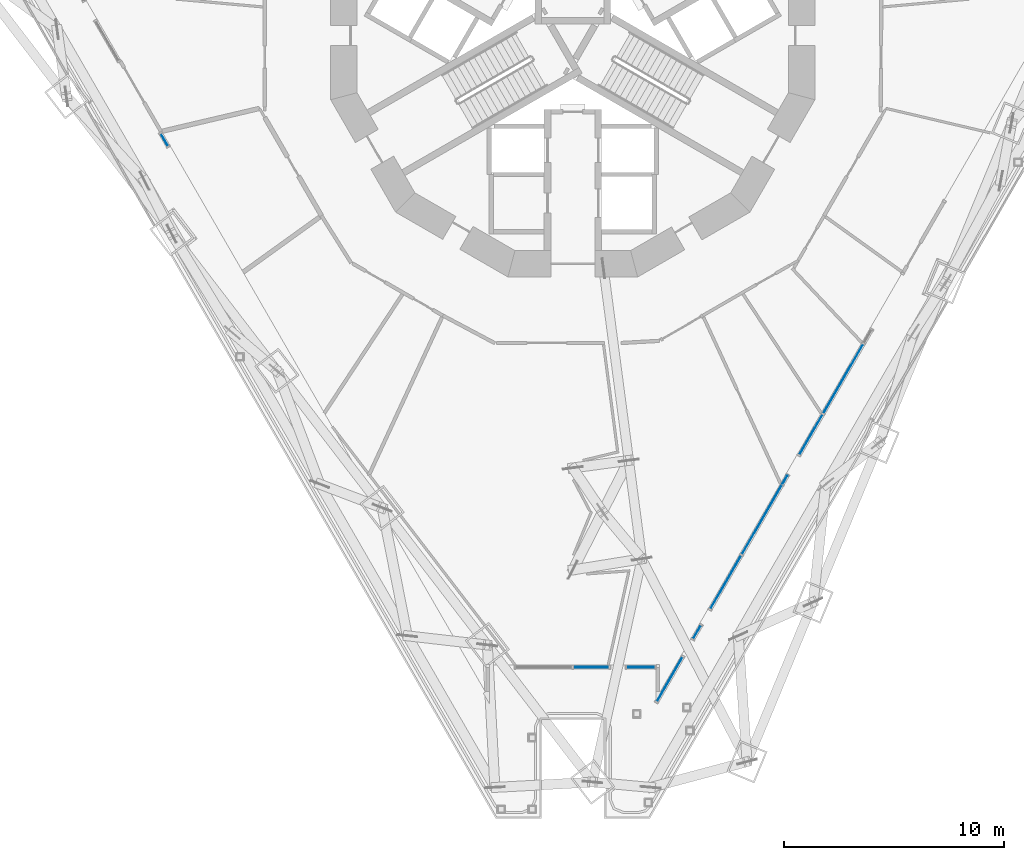
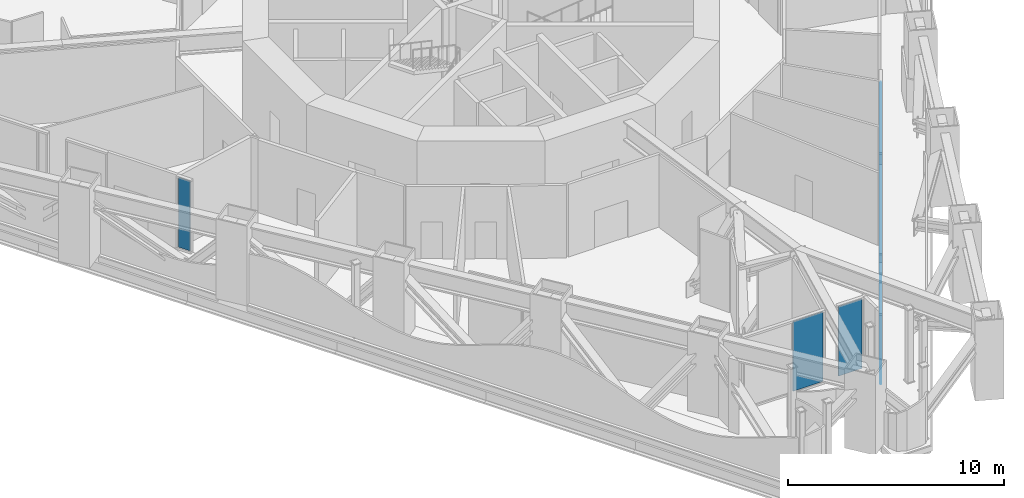
# One storey, part 8 of 28: 10 plates, 7 elements without a shape of their own.
"""IFC4 building model written with IfcOpenShell, lengths in metres."""

from ifc_helpers import new_model, si_unit, direction, frame, origin, origin_2d, place, context, subcontext, project, spatial, rectangle, extrude, material, layer, layer_set, type_object, element, aggregate, save


model = new_model("IFC4")

# Units and contexts
model_context = context("Model", 3, precision=1e-05, world=origin(), true_north=direction((0.0, 1.0)))
body_context = subcontext(model_context, "Body", "Model", "MODEL_VIEW")
ifc_project = project(units=[si_unit("LENGTHUNIT", "METRE"), si_unit("AREAUNIT", "SQUARE_METRE"), si_unit("VOLUMEUNIT", "CUBIC_METRE"), si_unit("PLANEANGLEUNIT", "RADIAN"), si_unit("MASSUNIT", "GRAM", prefix="KILO")], contexts=[model_context])

# Site, building, storey
site_placement = place(None, origin())
site = spatial("IfcSite", under=ifc_project, at=site_placement, CompositionType="ELEMENT")
building_placement = place(site_placement, origin())
building = spatial("IfcBuilding", under=site, at=building_placement, Name="Trine Commons Tower", CompositionType="ELEMENT")
storey_placement = place(building_placement, frame((0.0, 0.0, 45.89990234375)))
storey = spatial("IfcBuildingStorey", under=building, at=storey_placement, Name="L10", CompositionType="ELEMENT", Elevation=45.89990234375)

# Curtain wall, plates
ifc_material_1 = material(Name="Sky lounge glazing: anodised aluminium frame with low-emissivity double glazed unit, solar control", Category="aluminium")
ifc_layer_1 = layer(ifc_material_1, 0.179931640625)
ifc_layer_set_1 = layer_set([ifc_layer_1], Name="Sky lounge glazing: anodised aluminium frame with low-emissivity double glazed unit, solar control")
curtain_wall_type = type_object("IfcCurtainWallType", Name="Sky lounge glazing curtain wall CW5", PredefinedType="NOTDEFINED", material=ifc_layer_set_1)
curtain_wall_1_placement = place(storey_placement, origin())
curtain_wall_1 = element("IfcCurtainWall", 1, at=curtain_wall_1_placement, inside=storey, type_object=curtain_wall_type, Name="Sky lounge glazing L10 F2.1", PredefinedType="NOTDEFINED")
ifc_material_2 = material(Name="Low-emissivity double glazed unit, solar control")
ifc_layer_2 = layer(ifc_material_2, 0.031982421875)
ifc_layer_set_2 = layer_set([ifc_layer_2], Name="Low-emissivity double glazed unit, solar control")
plate_type = type_object("IfcPlateType", Name="Double glazed unit 32 mm (sky floors)", PredefinedType="CURTAIN_PANEL", material=ifc_layer_set_2)
plate_1_placement = place(storey_placement, frame((92.30078125, 46.856201171875, 0.1103515625), z_axis=(0.0, 0.0, 1.0), x_axis=(-0.5, -0.866025403784, 0.0)))
plate_1 = element("IfcPlate", 2, at=plate_1_placement, type_object=plate_type, Name="CW5 panel 2.1", PredefinedType="CURTAIN_PANEL", context=body_context, shape_type="SweptSolid", body=[
    extrude(rectangle(XDim=3.623779296875, YDim=0.031982421875, at=origin_2d()), origin(), (0.0, 0.0, 1.0), 3.929931640625),
])
plate_2_placement = place(storey_placement, frame((90.835205078125, 44.31787109375, 0.1103515625), z_axis=(0.0, 0.0, 1.0), x_axis=(-0.5, -0.866025403784, 0.0)))
plate_2 = element("IfcPlate", 3, at=plate_2_placement, type_object=plate_type, Name="CW5 panel 3.1", PredefinedType="CURTAIN_PANEL", context=body_context, shape_type="SweptSolid", body=[
    extrude(rectangle(XDim=2.088134765625, YDim=0.031982421875, at=origin_2d()), origin(), (0.0, 0.0, 1.0), 3.929931640625),
])
aggregate(curtain_wall_1, [plate_1, plate_2])

curtain_wall_2_placement = place(storey_placement, origin())
curtain_wall_2 = element("IfcCurtainWall", 4, at=curtain_wall_2_placement, inside=storey, type_object=curtain_wall_type, Name="Sky lounge glazing L10 F2.2", PredefinedType="NOTDEFINED")
plate_3_placement = place(storey_placement, frame((89.650390625, 42.265380859375, 0.1103515625), z_axis=(0.0, 0.0, 1.0), x_axis=(-0.5, -0.866025403784, 0.0)))
plate_3 = element("IfcPlate", 5, at=plate_3_placement, type_object=plate_type, Name="CW5 panel 1.1", PredefinedType="CURTAIN_PANEL", context=body_context, shape_type="SweptSolid", body=[
    extrude(rectangle(XDim=0.419921875, YDim=0.031982421875, at=origin_2d()), origin(), (0.0, 0.0, 1.0), 3.929931640625),
])
plate_4_placement = place(storey_placement, frame((88.601806640625, 40.449462890625, 0.1103515625), z_axis=(0.0, 0.0, 1.0), x_axis=(-0.5, -0.866025403784, 0.0)))
plate_4 = element("IfcPlate", 6, at=plate_4_placement, type_object=plate_type, Name="CW5 panel 2.1", PredefinedType="CURTAIN_PANEL", context=body_context, shape_type="SweptSolid", body=[
    extrude(rectangle(XDim=3.623779296875, YDim=0.031982421875, at=origin_2d()), origin(), (0.0, 0.0, 1.0), 3.929931640625),
])
plate_5_placement = place(storey_placement, frame((86.960693359375, 37.607177734375, 0.1103515625), z_axis=(0.0, 0.0, 1.0), x_axis=(-0.5, -0.866025403784, 0.0)))
plate_5 = element("IfcPlate", 7, at=plate_5_placement, type_object=plate_type, Name="CW5 panel 3.1", PredefinedType="CURTAIN_PANEL", context=body_context, shape_type="SweptSolid", body=[
    extrude(rectangle(XDim=2.790283203125, YDim=0.031982421875, at=origin_2d()), origin(), (0.0, 0.0, 1.0), 3.929931640625),
])
aggregate(curtain_wall_2, [plate_3, plate_4, plate_5])

# Curtain wall, plate
curtain_wall_3_placement = place(storey_placement, origin())
curtain_wall_3 = element("IfcCurtainWall", 8, at=curtain_wall_3_placement, inside=storey, type_object=curtain_wall_type, Name="Sky lounge glazing L10 F2.3", PredefinedType="NOTDEFINED")
plate_6_placement = place(storey_placement, frame((85.64990234375, 35.33642578125, 0.1103515625), z_axis=(0.0, 0.0, 1.0), x_axis=(-0.5, -0.866025403784, 0.0)))
plate_6 = element("IfcPlate", 9, at=plate_6_placement, type_object=plate_type, Name="CW5 panel 1.1", PredefinedType="CURTAIN_PANEL", context=body_context, shape_type="SweptSolid", body=[
    extrude(rectangle(XDim=0.689453125, YDim=0.031982421875, at=origin_2d()), origin(), (0.0, 0.0, 1.0), 3.929931640625),
])
aggregate(curtain_wall_3, [plate_6])

curtain_wall_4_placement = place(storey_placement, origin())
curtain_wall_4 = element("IfcCurtainWall", 10, at=curtain_wall_4_placement, inside=storey, type_object=curtain_wall_type, Name="Sky lounge glazing L10 F2.4", PredefinedType="NOTDEFINED")
plate_7_placement = place(storey_placement, frame((84.40966796875, 33.188720703125, 0.1103515625), z_axis=(0.0, 0.0, 1.0), x_axis=(-0.5, -0.866025403784, 0.0)))
plate_7 = element("IfcPlate", 11, at=plate_7_placement, type_object=plate_type, Name="CW5 panel 1.1", PredefinedType="CURTAIN_PANEL", context=body_context, shape_type="SweptSolid", body=[
    extrude(rectangle(XDim=2.323486328125, YDim=0.031982421875, at=origin_2d()), origin(), (0.0, 0.0, 1.0), 3.929931640625),
])
aggregate(curtain_wall_4, [plate_7])

curtain_wall_5_placement = place(storey_placement, origin())
curtain_wall_5 = element("IfcCurtainWall", 12, at=curtain_wall_5_placement, inside=storey, type_object=curtain_wall_type, Name="Sky lounge glazing L10 P3.1", PredefinedType="NOTDEFINED")
plate_8_placement = place(storey_placement, frame((83.090087890625, 33.74072265625, 0.1103515625), z_axis=(0.0, 0.0, 1.0), x_axis=(-1.0, 0.0, 0.0)))
plate_8 = element("IfcPlate", 13, at=plate_8_placement, type_object=plate_type, Name="CW5 panel 1.1", PredefinedType="CURTAIN_PANEL", context=body_context, shape_type="SweptSolid", body=[
    extrude(rectangle(XDim=1.269775390625, YDim=0.031982421875, at=origin_2d()), origin(), (0.0, 0.0, 1.0), 3.929931640625),
])
aggregate(curtain_wall_5, [plate_8])

curtain_wall_6_placement = place(storey_placement, origin())
curtain_wall_6 = element("IfcCurtainWall", 14, at=curtain_wall_6_placement, inside=storey, type_object=curtain_wall_type, Name="Sky lounge glazing L10 P3.2", PredefinedType="NOTDEFINED")
plate_9_placement = place(storey_placement, frame((80.8408203125, 33.74072265625, 0.1103515625), z_axis=(0.0, 0.0, 1.0), x_axis=(-1.0, 0.0, 0.0)))
plate_9 = element("IfcPlate", 15, at=plate_9_placement, type_object=plate_type, Name="CW5 panel 1.1", PredefinedType="CURTAIN_PANEL", context=body_context, shape_type="SweptSolid", body=[
    extrude(rectangle(XDim=1.606689453125, YDim=0.031982421875, at=origin_2d()), origin(), (0.0, 0.0, 1.0), 3.929931640625),
])
aggregate(curtain_wall_6, [plate_9])

curtain_wall_7_placement = place(storey_placement, origin())
curtain_wall_7 = element("IfcCurtainWall", 16, at=curtain_wall_7_placement, inside=storey, type_object=curtain_wall_type, Name="Sky lounge glazing L10 F3.1", PredefinedType="NOTDEFINED")
plate_10_placement = place(storey_placement, frame((61.42333984375, 57.7265625, 0.1103515625), z_axis=(0.0, 0.0, 1.0), x_axis=(-0.5, 0.866025403784, 0.0)))
plate_10 = element("IfcPlate", 17, at=plate_10_placement, type_object=plate_type, Name="CW5 panel 1.1", PredefinedType="CURTAIN_PANEL", context=body_context, shape_type="SweptSolid", body=[
    extrude(rectangle(XDim=0.637451171875, YDim=0.031982421875, at=origin_2d()), origin(), (0.0, 0.0, 1.0), 3.929931640625),
])
aggregate(curtain_wall_7, [plate_10])

save(model, "model.ifc")
